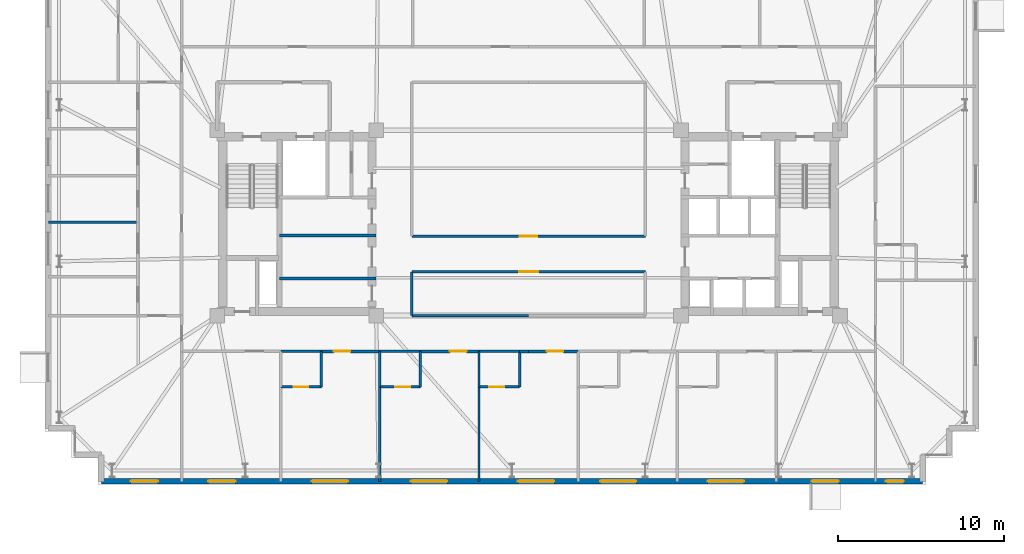
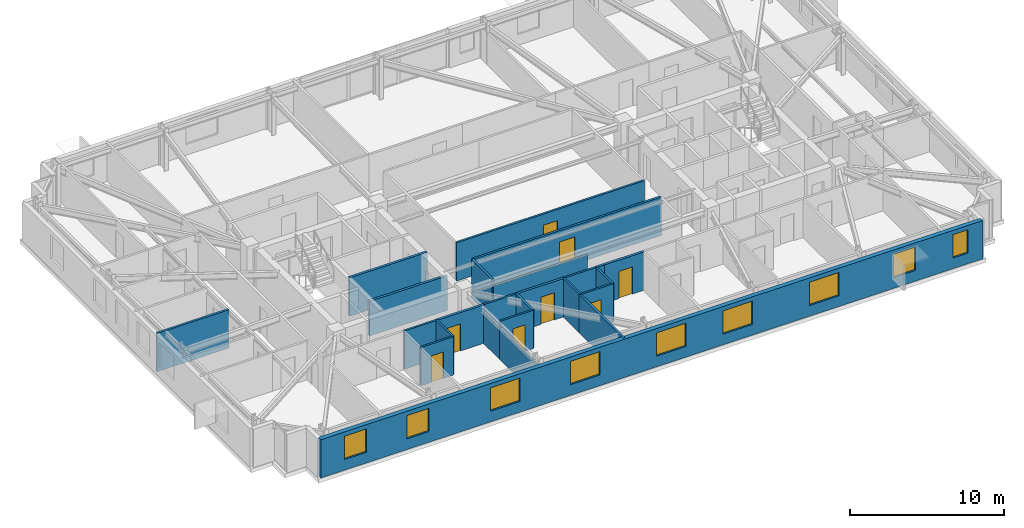
# One storey, part 12 of 18: 25 walls, 9 windows, 8 doors, 17 openings.
"""IFC4 building model written with IfcOpenShell, lengths in metres."""

from ifc_helpers import new_model, si_unit, direction, frame, frame_2d, origin, place, context, subcontext, project, spatial, rectangle, extrude, material, layer, layer_set, type_object, element, fill, save


model = new_model("IFC4")

# Units and contexts
model_context = context("Model", 3, precision=1e-05, world=origin(), true_north=direction((0.0, 1.0)))
body_context = subcontext(model_context, "Body", "Model", "MODEL_VIEW")
ifc_project = project(units=[si_unit("LENGTHUNIT", "METRE"), si_unit("AREAUNIT", "SQUARE_METRE"), si_unit("VOLUMEUNIT", "CUBIC_METRE"), si_unit("PLANEANGLEUNIT", "RADIAN"), si_unit("MASSUNIT", "GRAM", prefix="KILO")], contexts=[model_context])

# Site, building, storey
site_placement = place(None, origin())
site = spatial("IfcSite", under=ifc_project, at=site_placement, CompositionType="ELEMENT")
building_placement = place(site_placement, origin())
building = spatial("IfcBuilding", under=site, at=building_placement, Name="Qobustan Lattice House", CompositionType="ELEMENT")
storey_placement = place(building_placement, frame((0.0, 0.0, 154.449951171875)))
storey = spatial("IfcBuildingStorey", under=building, at=storey_placement, Name="L43", CompositionType="ELEMENT", Elevation=154.449951171875)

# Wall, openings, windows
ifc_material_1 = material(Name="Precast concrete C40/50", Category="concrete")
ifc_layer_1 = layer(ifc_material_1, 0.320068359375)
ifc_layer_set_1 = layer_set([ifc_layer_1], Name="Precast concrete C40/50")
wall_type_1 = type_object("IfcWallType", Name="WAL-EXT-STONE-320", PredefinedType="SOLIDWALL", material=ifc_layer_set_1)
wall_1_placement = place(storey_placement, frame((23.800048828125, -15.60009765625, 0.0), z_axis=(0.0, 0.0, 1.0), x_axis=(-1.0, 0.0, 0.0)))
wall_1 = element("IfcWall", 1, at=wall_1_placement, inside=storey, type_object=wall_type_1, Name="L43 exterior limestone-clad wall 20", PredefinedType="SOLIDWALL", context=body_context, shape_type="SweptSolid", body=[
    extrude(rectangle(XDim=49.60009765625, YDim=0.320068359375, at=frame_2d((24.800048828125, 0.0))), origin(), (0.0, 0.0, 1.0), 3.0400390625),
])
opening_1_placement = place(wall_1_placement, frame((1.1298828125, 0.0, 0.85009765625)))
opening_1 = element("IfcOpeningElement", 2, at=opening_1_placement, cuts=wall_1, Name="Opening WN-04", PredefinedType="OPENING", context=body_context, shape_type="SweptSolid", body=[
    extrude(rectangle(XDim=1.10009765625, YDim=1.85009765625, at=frame_2d((0.550048828125, 0.925048828125))), frame((0.0, 0.169921875, 0.0), z_axis=(0.0, -1.0, 0.0), x_axis=(1.0, 0.0, 0.0)), (0.0, 0.0, 1.0), 0.340087890625),
])
opening_2_placement = place(wall_1_placement, frame((5.054931640625, 0.0, 0.85009765625)))
opening_2 = element("IfcOpeningElement", 3, at=opening_2_placement, cuts=wall_1, Name="Opening WN-09", PredefinedType="OPENING", context=body_context, shape_type="SweptSolid", body=[
    extrude(rectangle(XDim=1.64990234375, YDim=1.85009765625, at=frame_2d((0.824951171875, 0.925048828125))), frame((0.0, 0.169921875, 0.0), z_axis=(0.0, -1.0, 0.0), x_axis=(1.0, 0.0, 0.0)), (0.0, 0.0, 1.0), 0.340087890625),
])
opening_3_placement = place(wall_1_placement, frame((10.780029296875, 0.0, 0.85009765625)))
opening_3 = element("IfcOpeningElement", 4, at=opening_3_placement, cuts=wall_1, Name="Opening WN-03", PredefinedType="OPENING", context=body_context, shape_type="SweptSolid", body=[
    extrude(rectangle(XDim=2.199951171875, YDim=1.85009765625, at=frame_2d((1.10009765625, 0.925048828125))), frame((0.0, 0.169921875, 0.0), z_axis=(0.0, -1.0, 0.0), x_axis=(1.0, 0.0, 0.0)), (0.0, 0.0, 1.0), 0.340087890625),
])
opening_4_placement = place(wall_1_placement, frame((17.283935546875, 0.0, 0.85009765625)))
opening_4 = element("IfcOpeningElement", 5, at=opening_4_placement, cuts=wall_1, Name="Opening WN-03", PredefinedType="OPENING", context=body_context, shape_type="SweptSolid", body=[
    extrude(rectangle(XDim=2.199951171875, YDim=1.85009765625, at=frame_2d((1.10009765625, 0.925048828125))), frame((0.0, 0.169921875, 0.0), z_axis=(0.0, -1.0, 0.0), x_axis=(1.0, 0.0, 0.0)), (0.0, 0.0, 1.0), 0.340087890625),
])
opening_5_placement = place(wall_1_placement, frame((22.248046875, 0.0, 0.85009765625)))
opening_5 = element("IfcOpeningElement", 6, at=opening_5_placement, cuts=wall_1, Name="Opening WN-03", PredefinedType="OPENING", context=body_context, shape_type="SweptSolid", body=[
    extrude(rectangle(XDim=2.199951171875, YDim=1.85009765625, at=frame_2d((1.10009765625, 0.925048828125))), frame((0.0, 0.169921875, 0.0), z_axis=(0.0, -1.0, 0.0), x_axis=(1.0, 0.0, 0.0)), (0.0, 0.0, 1.0), 0.340087890625),
])
opening_6_placement = place(wall_1_placement, frame((28.699951171875, 0.0, 0.85009765625)))
opening_6 = element("IfcOpeningElement", 7, at=opening_6_placement, cuts=wall_1, Name="Opening WN-03", PredefinedType="OPENING", context=body_context, shape_type="SweptSolid", body=[
    extrude(rectangle(XDim=2.199951171875, YDim=1.85009765625, at=frame_2d((1.10009765625, 0.925048828125))), frame((0.0, 0.169921875, 0.0), z_axis=(0.0, -1.0, 0.0), x_axis=(1.0, 0.0, 0.0)), (0.0, 0.0, 1.0), 0.340087890625),
])
opening_7_placement = place(wall_1_placement, frame((34.699951171875, 0.0, 0.85009765625)))
opening_7 = element("IfcOpeningElement", 8, at=opening_7_placement, cuts=wall_1, Name="Opening WN-03", PredefinedType="OPENING", context=body_context, shape_type="SweptSolid", body=[
    extrude(rectangle(XDim=2.199951171875, YDim=1.85009765625, at=frame_2d((1.10009765625, 0.925048828125))), frame((0.0, 0.169921875, 0.0), z_axis=(0.0, -1.0, 0.0), x_axis=(1.0, 0.0, 0.0)), (0.0, 0.0, 1.0), 0.340087890625),
])
opening_8_placement = place(wall_1_placement, frame((41.492431640625, 0.0, 0.85009765625)))
opening_8 = element("IfcOpeningElement", 9, at=opening_8_placement, cuts=wall_1, Name="Opening WN-09", PredefinedType="OPENING", context=body_context, shape_type="SweptSolid", body=[
    extrude(rectangle(XDim=1.64990234375, YDim=1.85009765625, at=frame_2d((0.824951171875, 0.925048828125))), frame((0.0, 0.169921875, 0.0), z_axis=(0.0, -1.0, 0.0), x_axis=(1.0, 0.0, 0.0)), (0.0, 0.0, 1.0), 0.340087890625),
])
opening_9_placement = place(wall_1_placement, frame((46.175048828125, 0.0, 0.85009765625)))
opening_9 = element("IfcOpeningElement", 10, at=opening_9_placement, cuts=wall_1, Name="Opening WN-09", PredefinedType="OPENING", context=body_context, shape_type="SweptSolid", body=[
    extrude(rectangle(XDim=1.64990234375, YDim=1.85009765625, at=frame_2d((0.824951171875, 0.925048828125))), frame((0.0, 0.169921875, 0.0), z_axis=(0.0, -1.0, 0.0), x_axis=(1.0, 0.0, 0.0)), (0.0, 0.0, 1.0), 0.340087890625),
])
ifc_material_2 = material(Name="Double-glazed low-E aluminium window", Category="aluminium")
window_type_1 = type_object("IfcWindowType", Name="WIN-NAR-1100x1850", PartitioningType="SINGLE_PANEL", PredefinedType="WINDOW", material=ifc_material_2)
window_1_placement = place(opening_1_placement, origin())
window_1 = element("IfcWindow", 11, at=window_1_placement, inside=storey, type_object=window_type_1, Name="L43 Focus study room E1 window", OverallHeight=1.85009765625, OverallWidth=1.10009765625, PartitioningType="SINGLE_PANEL", PredefinedType="WINDOW", context=body_context, shape_type="SweptSolid", body=[
    extrude(rectangle(XDim=1.10009765625, YDim=1.85009765625, at=frame_2d((0.550048828125, 0.925048828125))), frame((0.0, 0.030029296875, 0.0), z_axis=(0.0, -1.0, 0.0), x_axis=(1.0, 0.0, 0.0)), (0.0, 0.0, 1.0), 0.06005859375),
])
fill(opening_1, window_1)
ifc_material_3 = material(Name="Double-glazed low-E aluminium window", Category="aluminium")
window_type_2 = type_object("IfcWindowType", Name="WIN-STU-1650x1850", PartitioningType="SINGLE_PANEL", PredefinedType="WINDOW", material=ifc_material_3)
window_2_placement = place(opening_2_placement, origin())
window_2 = element("IfcWindow", 12, at=window_2_placement, inside=storey, type_object=window_type_2, Name="L43 Group study room window", OverallHeight=1.85009765625, OverallWidth=1.64990234375, PartitioningType="SINGLE_PANEL", PredefinedType="WINDOW", context=body_context, shape_type="SweptSolid", body=[
    extrude(rectangle(XDim=1.64990234375, YDim=1.85009765625, at=frame_2d((0.824951171875, 0.925048828125))), frame((0.0, 0.030029296875, 0.0), z_axis=(0.0, -1.0, 0.0), x_axis=(1.0, 0.0, 0.0)), (0.0, 0.0, 1.0), 0.06005859375),
])
fill(opening_2, window_2)
window_3_placement = place(opening_8_placement, origin())
window_3 = element("IfcWindow", 13, at=window_3_placement, inside=storey, type_object=window_type_2, Name="L43 Focus study room S1 window", OverallHeight=1.85009765625, OverallWidth=1.64990234375, PartitioningType="SINGLE_PANEL", PredefinedType="WINDOW", context=body_context, shape_type="SweptSolid", body=[
    extrude(rectangle(XDim=1.64990234375, YDim=1.85009765625, at=frame_2d((0.824951171875, 0.925048828125))), frame((0.0, 0.030029296875, 0.0), z_axis=(0.0, -1.0, 0.0), x_axis=(1.0, 0.0, 0.0)), (0.0, 0.0, 1.0), 0.06005859375),
])
fill(opening_8, window_3)
window_4_placement = place(opening_9_placement, origin())
window_4 = element("IfcWindow", 14, at=window_4_placement, inside=storey, type_object=window_type_2, Name="L43 Reading study room L43WS window", OverallHeight=1.85009765625, OverallWidth=1.64990234375, PartitioningType="SINGLE_PANEL", PredefinedType="WINDOW", context=body_context, shape_type="SweptSolid", body=[
    extrude(rectangle(XDim=1.64990234375, YDim=1.85009765625, at=frame_2d((0.824951171875, 0.925048828125))), frame((0.0, 0.030029296875, 0.0), z_axis=(0.0, -1.0, 0.0), x_axis=(1.0, 0.0, 0.0)), (0.0, 0.0, 1.0), 0.06005859375),
])
fill(opening_9, window_4)
ifc_material_4 = material(Name="Double-glazed low-E aluminium window", Category="aluminium")
window_type_3 = type_object("IfcWindowType", Name="WIN-WIDE-2200x1850", PartitioningType="SINGLE_PANEL", PredefinedType="WINDOW", material=ifc_material_4)
window_5_placement = place(opening_3_placement, origin())
window_5 = element("IfcWindow", 15, at=window_5_placement, inside=storey, type_object=window_type_3, Name="L43 Kitchenette and studio apartment L43-S6 window", OverallHeight=1.85009765625, OverallWidth=2.199951171875, PartitioningType="SINGLE_PANEL", PredefinedType="WINDOW", context=body_context, shape_type="SweptSolid", body=[
    extrude(rectangle(XDim=2.199951171875, YDim=1.85009765625, at=frame_2d((1.10009765625, 0.925048828125))), frame((0.0, 0.030029296875, 0.0), z_axis=(0.0, -1.0, 0.0), x_axis=(1.0, 0.0, 0.0)), (0.0, 0.0, 1.0), 0.06005859375),
])
fill(opening_3, window_5)
window_6_placement = place(opening_4_placement, origin())
window_6 = element("IfcWindow", 16, at=window_6_placement, inside=storey, type_object=window_type_3, Name="L43 Kitchenette and studio apartment L43-S5 window", OverallHeight=1.85009765625, OverallWidth=2.199951171875, PartitioningType="SINGLE_PANEL", PredefinedType="WINDOW", context=body_context, shape_type="SweptSolid", body=[
    extrude(rectangle(XDim=2.199951171875, YDim=1.85009765625, at=frame_2d((1.10009765625, 0.925048828125))), frame((0.0, 0.030029296875, 0.0), z_axis=(0.0, -1.0, 0.0), x_axis=(1.0, 0.0, 0.0)), (0.0, 0.0, 1.0), 0.06005859375),
])
fill(opening_4, window_6)
window_7_placement = place(opening_5_placement, origin())
window_7 = element("IfcWindow", 17, at=window_7_placement, inside=storey, type_object=window_type_3, Name="L43 Kitchenette and studio apartment L43-S4 window", OverallHeight=1.85009765625, OverallWidth=2.199951171875, PartitioningType="SINGLE_PANEL", PredefinedType="WINDOW", context=body_context, shape_type="SweptSolid", body=[
    extrude(rectangle(XDim=2.199951171875, YDim=1.85009765625, at=frame_2d((1.10009765625, 0.925048828125))), frame((0.0, 0.030029296875, 0.0), z_axis=(0.0, -1.0, 0.0), x_axis=(1.0, 0.0, 0.0)), (0.0, 0.0, 1.0), 0.06005859375),
])
fill(opening_5, window_7)
window_8_placement = place(opening_6_placement, origin())
window_8 = element("IfcWindow", 18, at=window_8_placement, inside=storey, type_object=window_type_3, Name="L43 Kitchenette and studio apartment L43-S3 window", OverallHeight=1.85009765625, OverallWidth=2.199951171875, PartitioningType="SINGLE_PANEL", PredefinedType="WINDOW", context=body_context, shape_type="SweptSolid", body=[
    extrude(rectangle(XDim=2.199951171875, YDim=1.85009765625, at=frame_2d((1.10009765625, 0.925048828125))), frame((0.0, 0.030029296875, 0.0), z_axis=(0.0, -1.0, 0.0), x_axis=(1.0, 0.0, 0.0)), (0.0, 0.0, 1.0), 0.06005859375),
])
fill(opening_6, window_8)
window_9_placement = place(opening_7_placement, origin())
window_9 = element("IfcWindow", 19, at=window_9_placement, inside=storey, type_object=window_type_3, Name="L43 Kitchenette and studio apartment L43-S2 window", OverallHeight=1.85009765625, OverallWidth=2.199951171875, PartitioningType="SINGLE_PANEL", PredefinedType="WINDOW", context=body_context, shape_type="SweptSolid", body=[
    extrude(rectangle(XDim=2.199951171875, YDim=1.85009765625, at=frame_2d((1.10009765625, 0.925048828125))), frame((0.0, 0.030029296875, 0.0), z_axis=(0.0, -1.0, 0.0), x_axis=(1.0, 0.0, 0.0)), (0.0, 0.0, 1.0), 0.06005859375),
])
fill(opening_7, window_9)

# Walls
ifc_material_5 = material(Name="Gypsum fireboard acoustic partition", Category="gypsum")
ifc_layer_2 = layer(ifc_material_5, 0.179931640625)
ifc_layer_set_2 = layer_set([ifc_layer_2], Name="Gypsum fireboard acoustic partition")
wall_type_2 = type_object("IfcWallType", Name="WAL-FIRE-180", PredefinedType="PARTITIONING", material=ifc_layer_set_2)
wall_2_placement = place(storey_placement, frame((-15.050048828125, -3.35009765625, 0.0), z_axis=(0.0, 0.0, 1.0), x_axis=(1.0, 0.0, 0.0)))
element("IfcWall", 20, at=wall_2_placement, inside=storey, type_object=wall_type_2, Name="L43 interior partition 10", PredefinedType="PARTITIONING", context=body_context, shape_type="SweptSolid", body=[
    extrude(rectangle(XDim=5.85009765625, YDim=0.179931640625, at=frame_2d((2.925048828125, 0.0))), origin(), (0.0, 0.0, 1.0), 2.755126953125),
])
wall_3_placement = place(storey_placement, frame((-9.199951171875, -0.75, 0.0), z_axis=(0.0, 0.0, 1.0), x_axis=(-1.0, 0.0, 0.0)))
element("IfcWall", 21, at=wall_3_placement, inside=storey, type_object=wall_type_2, Name="L43 interior partition 11", PredefinedType="PARTITIONING", context=body_context, shape_type="SweptSolid", body=[
    extrude(rectangle(XDim=5.85009765625, YDim=0.179931640625, at=frame_2d((2.925048828125, 0.0))), origin(), (0.0, 0.0, 1.0), 3.0400390625),
])

# Wall, opening, door
wall_4_placement = place(storey_placement, frame((-8.97900390625, -7.75, 0.0), z_axis=(0.0, 0.0, 1.0), x_axis=(-1.0, 0.0, 0.0)))
wall_4 = element("IfcWall", 22, at=wall_4_placement, inside=storey, type_object=wall_type_2, Name="L43 interior partition 45", PredefinedType="PARTITIONING", context=body_context, shape_type="SweptSolid", body=[
    extrude(rectangle(XDim=3.534912109375, YDim=0.179931640625, at=frame_2d((1.767578125, 0.0))), origin(), (0.0, 0.0, 1.0), 3.0400390625),
])
opening_10_placement = place(wall_4_placement, frame((1.783203125, 0.0, 0.0)))
opening_10 = element("IfcOpeningElement", 23, at=opening_10_placement, cuts=wall_4, Name="Opening FD-02", PredefinedType="OPENING", context=body_context, shape_type="SweptSolid", body=[
    extrude(rectangle(XDim=1.0, YDim=2.14990234375, at=frame_2d((0.5, 1.074951171875))), frame((0.0, 0.099853515625, 0.0), z_axis=(0.0, -1.0, 0.0), x_axis=(1.0, 0.0, 0.0)), (0.0, 0.0, 1.0), 0.199951171875),
])
ifc_material_6 = material(Name="Persian walnut timber and steel frame door", Category="steel")
door_type_1 = type_object("IfcDoorType", Name="DOR-UNIT-FD-1000x2150", OperationType="NOTDEFINED", PredefinedType="DOOR", material=ifc_material_6)
door_1_placement = place(opening_10_placement, origin())
door_1 = element("IfcDoor", 24, at=door_1_placement, inside=storey, type_object=door_type_1, Name="L43 South-west floor corridor to Kitchenette and studio apartment L43-S2 door", OperationType="SINGLE_SWING_RIGHT", OverallHeight=2.14990234375, OverallWidth=1.0, PredefinedType="DOOR", context=body_context, shape_type="SweptSolid", body=[
    extrude(rectangle(XDim=1.0, YDim=2.14990234375, at=frame_2d((0.5, 1.074951171875))), frame((0.0, 0.02490234375, 0.0), z_axis=(0.0, -1.0, 0.0), x_axis=(1.0, 0.0, 0.0)), (0.0, 0.0, 1.0), 0.050048828125),
])
fill(opening_10, door_1)

wall_5_placement = place(storey_placement, frame((-2.992919921875, -7.75, 0.0), z_axis=(0.0, 0.0, 1.0), x_axis=(-1.0, 0.0, 0.0)))
wall_5 = element("IfcWall", 25, at=wall_5_placement, inside=storey, type_object=wall_type_2, Name="L43 interior partition 47", PredefinedType="PARTITIONING", context=body_context, shape_type="SweptSolid", body=[
    extrude(rectangle(XDim=3.5361328125, YDim=0.179931640625, at=frame_2d((1.76806640625, 0.0))), origin(), (0.0, 0.0, 1.0), 3.0400390625),
])
opening_11_placement = place(wall_5_placement, frame((0.751953125, 0.0, 0.0)))
opening_11 = element("IfcOpeningElement", 26, at=opening_11_placement, cuts=wall_5, Name="Opening FD-02", PredefinedType="OPENING", context=body_context, shape_type="SweptSolid", body=[
    extrude(rectangle(XDim=1.0, YDim=2.14990234375, at=frame_2d((0.5, 1.074951171875))), frame((0.0, 0.099853515625, 0.0), z_axis=(0.0, -1.0, 0.0), x_axis=(1.0, 0.0, 0.0)), (0.0, 0.0, 1.0), 0.199951171875),
])
door_2_placement = place(opening_11_placement, origin())
door_2 = element("IfcDoor", 27, at=door_2_placement, inside=storey, type_object=door_type_1, Name="L43 South-west floor corridor to Kitchenette and studio apartment L43-S3 door", OperationType="SINGLE_SWING_LEFT", OverallHeight=2.14990234375, OverallWidth=1.0, PredefinedType="DOOR", context=body_context, shape_type="SweptSolid", body=[
    extrude(rectangle(XDim=1.0, YDim=2.14990234375, at=frame_2d((0.5, 1.074951171875))), frame((0.0, 0.02490234375, 0.0), z_axis=(0.0, -1.0, 0.0), x_axis=(1.0, 0.0, 0.0)), (0.0, 0.0, 1.0), 0.050048828125),
])
fill(opening_11, door_2)

# Wall
wall_6_placement = place(storey_placement, frame((0.0, -7.75, 0.0), z_axis=(0.0, 0.0, 1.0), x_axis=(-1.0, 0.0, 0.0)))
element("IfcWall", 28, at=wall_6_placement, inside=storey, type_object=wall_type_2, Name="L43 interior partition 49", PredefinedType="PARTITIONING", context=body_context, shape_type="SweptSolid", body=[
    extrude(rectangle(XDim=0.54296875, YDim=0.179931640625, at=frame_2d((0.271484375, 0.0))), origin(), (0.0, 0.0, 1.0), 3.0400390625),
])

# Wall, opening, door
wall_7_placement = place(storey_placement, frame((2.992919921875, -7.75, 0.0), z_axis=(0.0, 0.0, 1.0), x_axis=(-1.0, 0.0, 0.0)))
wall_7 = element("IfcWall", 29, at=wall_7_placement, inside=storey, type_object=wall_type_2, Name="L43 interior partition 53", PredefinedType="PARTITIONING", context=body_context, shape_type="SweptSolid", body=[
    extrude(rectangle(XDim=2.992919921875, YDim=0.179931640625, at=frame_2d((1.49658203125, 0.0))), origin(), (0.0, 0.0, 1.0), 3.0400390625),
])
opening_12_placement = place(wall_7_placement, frame((0.892333984375, 0.0, 0.0)))
opening_12 = element("IfcOpeningElement", 30, at=opening_12_placement, cuts=wall_7, Name="Opening FD-02", PredefinedType="OPENING", context=body_context, shape_type="SweptSolid", body=[
    extrude(rectangle(XDim=1.0, YDim=2.14990234375, at=frame_2d((0.5, 1.074951171875))), frame((0.0, 0.099853515625, 0.0), z_axis=(0.0, -1.0, 0.0), x_axis=(1.0, 0.0, 0.0)), (0.0, 0.0, 1.0), 0.199951171875),
])
door_3_placement = place(opening_12_placement, origin())
door_3 = element("IfcDoor", 31, at=door_3_placement, inside=storey, type_object=door_type_1, Name="L43 South-east floor corridor to Kitchenette and studio apartment L43-S4 door", OperationType="SINGLE_SWING_LEFT", OverallHeight=2.14990234375, OverallWidth=1.0, PredefinedType="DOOR", context=body_context, shape_type="SweptSolid", body=[
    extrude(rectangle(XDim=1.0, YDim=2.14990234375, at=frame_2d((0.5, 1.074951171875))), frame((0.0, 0.02490234375, 0.0), z_axis=(0.0, -1.0, 0.0), x_axis=(1.0, 0.0, 0.0)), (0.0, 0.0, 1.0), 0.050048828125),
])
fill(opening_12, door_3)

ifc_material_7 = material(Name="Acoustic twin-stud gypsum partition", Category="gypsum")
ifc_layer_3 = layer(ifc_material_7, 0.14990234375)
ifc_layer_set_3 = layer_set([ifc_layer_3], Name="Acoustic twin-stud gypsum partition")
wall_type_3 = type_object("IfcWallType", Name="WAL-PART-150", PredefinedType="PARTITIONING", material=ifc_layer_set_3)
wall_8_placement = place(storey_placement, frame((-7.050048828125, -0.800048828125, 0.0), z_axis=(0.0, 0.0, 1.0), x_axis=(1.0, 0.0, 0.0)))
wall_8 = element("IfcWall", 32, at=wall_8_placement, inside=storey, type_object=wall_type_3, Name="L43 interior partition 64", PredefinedType="PARTITIONING", context=body_context, shape_type="SweptSolid", body=[
    extrude(rectangle(XDim=14.10009765625, YDim=0.14990234375, at=frame_2d((7.050048828125, 0.0))), origin(), (0.0, 0.0, 1.0), 3.0400390625),
])
opening_13_placement = place(wall_8_placement, frame((6.52490234375, 0.0, 0.0)))
opening_13 = element("IfcOpeningElement", 33, at=opening_13_placement, cuts=wall_8, Name="Opening ID-02", PredefinedType="OPENING", context=body_context, shape_type="SweptSolid", body=[
    extrude(rectangle(XDim=1.050048828125, YDim=2.14990234375, at=frame_2d((0.52490234375, 1.074951171875))), frame((0.0, 0.0849609375, 0.0), z_axis=(0.0, -1.0, 0.0), x_axis=(1.0, 0.0, 0.0)), (0.0, 0.0, 1.0), 0.169921875),
])
ifc_material_8 = material(Name="Persian walnut timber and steel frame door", Category="steel")
door_type_2 = type_object("IfcDoorType", Name="DOR-STUDY-1050x2150", OperationType="NOTDEFINED", PredefinedType="DOOR", material=ifc_material_8)
door_4_placement = place(opening_13_placement, origin())
door_4 = element("IfcDoor", 34, at=door_4_placement, inside=storey, type_object=door_type_2, Name="L43 Central spine corridor to Central study commons door", OperationType="SINGLE_SWING_LEFT", OverallHeight=2.14990234375, OverallWidth=1.050048828125, PredefinedType="DOOR", context=body_context, shape_type="SweptSolid", body=[
    extrude(rectangle(XDim=1.050048828125, YDim=2.14990234375, at=frame_2d((0.52490234375, 1.074951171875))), frame((0.0, 0.02490234375, 0.0), z_axis=(0.0, -1.0, 0.0), x_axis=(1.0, 0.0, 0.0)), (0.0, 0.0, 1.0), 0.050048828125),
])
fill(opening_13, door_4)

# Walls
wall_9_placement = place(storey_placement, frame((-8.97900390625, -9.89990234375, 0.0), z_axis=(0.0, 0.0, 1.0), x_axis=(0.0, -1.0, 0.0)))
element("IfcWall", 35, at=wall_9_placement, inside=storey, type_object=wall_type_3, Name="L43 interior partition 101", PredefinedType="PARTITIONING", context=body_context, shape_type="SweptSolid", body=[
    extrude(rectangle(XDim=5.7001953125, YDim=0.14990234375, at=frame_2d((2.85009765625, 0.0))), origin(), (0.0, 0.0, 1.0), 2.525146484375),
])
wall_10_placement = place(storey_placement, frame((-2.992919921875, -9.89990234375, 0.0), z_axis=(0.0, 0.0, 1.0), x_axis=(0.0, -1.0, 0.0)))
element("IfcWall", 36, at=wall_10_placement, inside=storey, type_object=wall_type_3, Name="L43 interior partition 105", PredefinedType="PARTITIONING", context=body_context, shape_type="SweptSolid", body=[
    extrude(rectangle(XDim=5.7001953125, YDim=0.14990234375, at=frame_2d((2.85009765625, 0.0))), origin(), (0.0, 0.0, 1.0), 3.0400390625),
])
ifc_material_9 = material(Name="High-mass acoustic twin-stud partition", Category="gypsum")
ifc_layer_4 = layer(ifc_material_9, 0.1650390625)
ifc_layer_set_4 = layer_set([ifc_layer_4], Name="High-mass acoustic twin-stud partition")
wall_type_4 = type_object("IfcWallType", Name="WAL-PART-165", PredefinedType="PARTITIONING", material=ifc_layer_set_4)
wall_11_placement = place(storey_placement, frame((-7.050048828125, -5.60009765625, 0.0), z_axis=(0.0, 0.0, 1.0), x_axis=(1.0, 0.0, 0.0)))
element("IfcWall", 37, at=wall_11_placement, inside=storey, type_object=wall_type_4, Name="L43 interior partition 51", PredefinedType="PARTITIONING", context=body_context, shape_type="SweptSolid", body=[
    extrude(rectangle(XDim=7.050048828125, YDim=0.1650390625, at=frame_2d((3.52490234375, 0.0))), origin(), (0.0, 0.0, 1.0), 2.525146484375),
])

# Wall, opening, door
wall_12_placement = place(storey_placement, frame((7.050048828125, -2.949951171875, 0.0), z_axis=(0.0, 0.0, 1.0), x_axis=(-1.0, 0.0, 0.0)))
wall_12 = element("IfcWall", 38, at=wall_12_placement, inside=storey, type_object=wall_type_4, Name="L43 interior partition 65", PredefinedType="PARTITIONING", context=body_context, shape_type="SweptSolid", body=[
    extrude(rectangle(XDim=14.10009765625, YDim=0.1650390625, at=frame_2d((7.050048828125, 0.0))), origin(), (0.0, 0.0, 1.0), 3.0400390625),
])
opening_14_placement = place(wall_12_placement, frame((6.47509765625, 0.0, 0.0)))
opening_14 = element("IfcOpeningElement", 39, at=opening_14_placement, cuts=wall_12, Name="Opening ID-03", PredefinedType="OPENING", context=body_context, shape_type="SweptSolid", body=[
    extrude(rectangle(XDim=1.14990234375, YDim=2.14990234375, at=frame_2d((0.574951171875, 1.074951171875))), frame((0.0, 0.092529296875, 0.0), z_axis=(0.0, -1.0, 0.0), x_axis=(1.0, 0.0, 0.0)), (0.0, 0.0, 1.0), 0.18505859375),
])
ifc_material_10 = material(Name="Persian walnut timber and steel frame door", Category="steel")
door_type_3 = type_object("IfcDoorType", Name="DOR-KITCH-1150x2150", OperationType="NOTDEFINED", PredefinedType="DOOR", material=ifc_material_10)
door_5_placement = place(opening_14_placement, origin())
door_5 = element("IfcDoor", 40, at=door_5_placement, inside=storey, type_object=door_type_3, Name="L43 Central spine corridor to Shared kitchen and tea room door", OperationType="SINGLE_SWING_RIGHT", OverallHeight=2.14990234375, OverallWidth=1.14990234375, PredefinedType="DOOR", context=body_context, shape_type="SweptSolid", body=[
    extrude(rectangle(XDim=1.14990234375, YDim=2.14990234375, at=frame_2d((0.574951171875, 1.074951171875))), frame((0.0, 0.02490234375, 0.0), z_axis=(0.0, -1.0, 0.0), x_axis=(1.0, 0.0, 0.0)), (0.0, 0.0, 1.0), 0.050048828125),
])
fill(opening_14, door_5)

# Walls
wall_13_placement = place(storey_placement, frame((-7.050048828125, -2.949951171875, 0.0), z_axis=(0.0, 0.0, 1.0), x_axis=(0.0, -1.0, 0.0)))
element("IfcWall", 41, at=wall_13_placement, inside=storey, type_object=wall_type_4, Name="L43 interior partition 67", PredefinedType="PARTITIONING", context=body_context, shape_type="SweptSolid", body=[
    extrude(rectangle(XDim=2.650146484375, YDim=0.1650390625, at=frame_2d((1.3251953125, 0.0))), origin(), (0.0, 0.0, 1.0), 3.0400390625),
])
wall_14_placement = place(storey_placement, frame((-29.0, 0.0400390625, 0.0), z_axis=(0.0, 0.0, 1.0), x_axis=(1.0, 0.0, 0.0)))
element("IfcWall", 42, at=wall_14_placement, inside=storey, type_object=wall_type_4, Name="L43 interior partition 84", PredefinedType="PARTITIONING", context=body_context, shape_type="SweptSolid", body=[
    extrude(rectangle(XDim=5.39990234375, YDim=0.1650390625, at=frame_2d((2.699951171875, 0.0))), origin(), (0.0, 0.0, 1.0), 3.0400390625),
])
ifc_material_11 = material(Name="Moisture-resistant acoustic plumbing wall", Category="gypsum")
ifc_layer_5 = layer(ifc_material_11, 0.14990234375)
ifc_layer_set_5 = layer_set([ifc_layer_5], Name="Moisture-resistant acoustic plumbing wall")
wall_type_5 = type_object("IfcWallType", Name="WAL-WET-150", PredefinedType="PLUMBINGWALL", material=ifc_layer_set_5)
wall_15_placement = place(storey_placement, frame((-12.513916015625, -7.75, 0.0), z_axis=(0.0, 0.0, 1.0), x_axis=(-1.0, 0.0, 0.0)))
element("IfcWall", 43, at=wall_15_placement, inside=storey, type_object=wall_type_5, Name="L43 interior partition 46", PredefinedType="PLUMBINGWALL", context=body_context, shape_type="SweptSolid", body=[
    extrude(rectangle(XDim=2.4501953125, YDim=0.14990234375, at=frame_2d((1.22509765625, 0.0))), origin(), (0.0, 0.0, 1.0), 3.0400390625),
])
for number, where, z_axis, x_axis, name in (
    (44, (-6.529052734375, -7.75, 0.0), (0.0, 0.0, 1.0), (-1.0, 0.0, 0.0), "L43 interior partition 48"),
    (45, (-0.54296875, -7.75, 0.0), (0.0, 0.0, 1.0), (-1.0, 0.0, 0.0), "L43 interior partition 50"),
):
    element("IfcWall", number, at=place(storey_placement, frame(where, z_axis=z_axis, x_axis=x_axis)), inside=storey, type_object=wall_type_5, Name=name, PredefinedType="PLUMBINGWALL", context=body_context, shape_type="SweptSolid", body=[
        extrude(rectangle(XDim=2.449951171875, YDim=0.14990234375, at=frame_2d((1.22509765625, 0.0))), origin(), (0.0, 0.0, 1.0), 3.0400390625),
    ])

# Wall, opening, door
wall_16_placement = place(storey_placement, frame((-14.964111328125, -9.89990234375, 0.0), z_axis=(0.0, 0.0, 1.0), x_axis=(1.0, 0.0, 0.0)))
wall_16 = element("IfcWall", 46, at=wall_16_placement, inside=storey, type_object=wall_type_5, Name="L43 interior partition 99", PredefinedType="PLUMBINGWALL", context=body_context, shape_type="SweptSolid", body=[
    extrude(rectangle(XDim=2.4501953125, YDim=0.14990234375, at=frame_2d((1.22509765625, 0.0))), origin(), (0.0, 0.0, 1.0), 3.0400390625),
])
opening_15_placement = place(wall_16_placement, frame((0.77490234375, 0.0, 0.0)))
opening_15 = element("IfcOpeningElement", 47, at=opening_15_placement, cuts=wall_16, Name="Opening WD-01", PredefinedType="OPENING", context=body_context, shape_type="SweptSolid", body=[
    extrude(rectangle(XDim=0.89990234375, YDim=2.10009765625, at=frame_2d((0.449951171875, 1.050048828125))), frame((0.0, 0.0849609375, 0.0), z_axis=(0.0, -1.0, 0.0), x_axis=(1.0, 0.0, 0.0)), (0.0, 0.0, 1.0), 0.169921875),
])
ifc_material_12 = material(Name="Persian walnut timber and steel frame door", Category="steel")
door_type_4 = type_object("IfcDoorType", Name="DOR-WET-900x2100", OperationType="NOTDEFINED", PredefinedType="DOOR", material=ifc_material_12)
door_6_placement = place(opening_15_placement, origin())
door_6 = element("IfcDoor", 48, at=door_6_placement, inside=storey, type_object=door_type_4, Name="L43 Kitchenette and studio apartment L43-S2 to En-suite bathroom L43-S2 door", OperationType="SINGLE_SWING_RIGHT", OverallHeight=2.10009765625, OverallWidth=0.89990234375, PredefinedType="DOOR", context=body_context, shape_type="SweptSolid", body=[
    extrude(rectangle(XDim=0.89990234375, YDim=2.10009765625, at=frame_2d((0.449951171875, 1.050048828125))), frame((0.0, 0.02490234375, 0.0), z_axis=(0.0, -1.0, 0.0), x_axis=(1.0, 0.0, 0.0)), (0.0, 0.0, 1.0), 0.050048828125),
])
fill(opening_15, door_6)

# Walls
wall_17_placement = place(storey_placement, frame((-12.513916015625, -9.89990234375, 0.0), z_axis=(0.0, 0.0, 1.0), x_axis=(0.0, 1.0, 0.0)))
element("IfcWall", 49, at=wall_17_placement, inside=storey, type_object=wall_type_5, Name="L43 interior partition 100", PredefinedType="PLUMBINGWALL", context=body_context, shape_type="SweptSolid", body=[
    extrude(rectangle(XDim=2.14990234375, YDim=0.14990234375, at=frame_2d((1.074951171875, 0.0))), origin(), (0.0, 0.0, 1.0), 3.0400390625),
])
wall_18_placement = place(storey_placement, frame((-8.97900390625, -7.75, 0.0), z_axis=(0.0, 0.0, 1.0), x_axis=(0.0, -1.0, 0.0)))
element("IfcWall", 50, at=wall_18_placement, inside=storey, type_object=wall_type_5, Name="L43 interior partition 102", PredefinedType="PLUMBINGWALL", context=body_context, shape_type="SweptSolid", body=[
    extrude(rectangle(XDim=2.14990234375, YDim=0.14990234375, at=frame_2d((1.074951171875, 0.0))), origin(), (0.0, 0.0, 1.0), 2.525146484375),
])

# Wall, opening, door
wall_19_placement = place(storey_placement, frame((-8.97900390625, -9.89990234375, 0.0), z_axis=(0.0, 0.0, 1.0), x_axis=(1.0, 0.0, 0.0)))
wall_19 = element("IfcWall", 51, at=wall_19_placement, inside=storey, type_object=wall_type_5, Name="L43 interior partition 103", PredefinedType="PLUMBINGWALL", context=body_context, shape_type="SweptSolid", body=[
    extrude(rectangle(XDim=2.449951171875, YDim=0.14990234375, at=frame_2d((1.22509765625, 0.0))), origin(), (0.0, 0.0, 1.0), 3.0400390625),
])
opening_16_placement = place(wall_19_placement, frame((0.921142578125, 0.0, 0.0)))
opening_16 = element("IfcOpeningElement", 52, at=opening_16_placement, cuts=wall_19, Name="Opening WD-01", PredefinedType="OPENING", context=body_context, shape_type="SweptSolid", body=[
    extrude(rectangle(XDim=0.89990234375, YDim=2.10009765625, at=frame_2d((0.449951171875, 1.050048828125))), frame((0.0, 0.0849609375, 0.0), z_axis=(0.0, -1.0, 0.0), x_axis=(1.0, 0.0, 0.0)), (0.0, 0.0, 1.0), 0.169921875),
])
door_7_placement = place(opening_16_placement, origin())
door_7 = element("IfcDoor", 53, at=door_7_placement, inside=storey, type_object=door_type_4, Name="L43 Kitchenette and studio apartment L43-S3 to En-suite bathroom L43-S3 door", OperationType="SINGLE_SWING_LEFT", OverallHeight=2.10009765625, OverallWidth=0.89990234375, PredefinedType="DOOR", context=body_context, shape_type="SweptSolid", body=[
    extrude(rectangle(XDim=0.89990234375, YDim=2.10009765625, at=frame_2d((0.449951171875, 1.050048828125))), frame((0.0, 0.02490234375, 0.0), z_axis=(0.0, -1.0, 0.0), x_axis=(1.0, 0.0, 0.0)), (0.0, 0.0, 1.0), 0.050048828125),
])
fill(opening_16, door_7)

# Walls
for number, where, z_axis, x_axis, name in (
    (54, (-6.529052734375, -9.89990234375, 0.0), (0.0, 0.0, 1.0), (0.0, 1.0, 0.0), "L43 interior partition 104"),
    (55, (-2.992919921875, -7.75, 0.0), (0.0, 0.0, 1.0), (0.0, -1.0, 0.0), "L43 interior partition 106"),
):
    element("IfcWall", number, at=place(storey_placement, frame(where, z_axis=z_axis, x_axis=x_axis)), inside=storey, type_object=wall_type_5, Name=name, PredefinedType="PLUMBINGWALL", context=body_context, shape_type="SweptSolid", body=[
        extrude(rectangle(XDim=2.14990234375, YDim=0.14990234375, at=frame_2d((1.074951171875, 0.0))), origin(), (0.0, 0.0, 1.0), 3.0400390625),
    ])

# Wall, opening, door
wall_20_placement = place(storey_placement, frame((-2.992919921875, -9.89990234375, 0.0), z_axis=(0.0, 0.0, 1.0), x_axis=(1.0, 0.0, 0.0)))
wall_20 = element("IfcWall", 56, at=wall_20_placement, inside=storey, type_object=wall_type_5, Name="L43 interior partition 107", PredefinedType="PLUMBINGWALL", context=body_context, shape_type="SweptSolid", body=[
    extrude(rectangle(XDim=2.449951171875, YDim=0.14990234375, at=frame_2d((1.22509765625, 0.0))), origin(), (0.0, 0.0, 1.0), 3.0400390625),
])
opening_17_placement = place(wall_20_placement, frame((0.628662109375, 0.0, 0.0)))
opening_17 = element("IfcOpeningElement", 57, at=opening_17_placement, cuts=wall_20, Name="Opening WD-01", PredefinedType="OPENING", context=body_context, shape_type="SweptSolid", body=[
    extrude(rectangle(XDim=0.89990234375, YDim=2.10009765625, at=frame_2d((0.449951171875, 1.050048828125))), frame((0.0, 0.0849609375, 0.0), z_axis=(0.0, -1.0, 0.0), x_axis=(1.0, 0.0, 0.0)), (0.0, 0.0, 1.0), 0.169921875),
])
door_8_placement = place(opening_17_placement, origin())
door_8 = element("IfcDoor", 58, at=door_8_placement, inside=storey, type_object=door_type_4, Name="L43 Kitchenette and studio apartment L43-S4 to En-suite bathroom L43-S4 door", OperationType="SINGLE_SWING_RIGHT", OverallHeight=2.10009765625, OverallWidth=0.89990234375, PredefinedType="DOOR", context=body_context, shape_type="SweptSolid", body=[
    extrude(rectangle(XDim=0.89990234375, YDim=2.10009765625, at=frame_2d((0.449951171875, 1.050048828125))), frame((0.0, 0.02490234375, 0.0), z_axis=(0.0, -1.0, 0.0), x_axis=(1.0, 0.0, 0.0)), (0.0, 0.0, 1.0), 0.050048828125),
])
fill(opening_17, door_8)

# Wall
wall_21_placement = place(storey_placement, frame((-0.54296875, -9.89990234375, 0.0), z_axis=(0.0, 0.0, 1.0), x_axis=(0.0, 1.0, 0.0)))
element("IfcWall", 59, at=wall_21_placement, inside=storey, type_object=wall_type_5, Name="L43 interior partition 108", PredefinedType="PLUMBINGWALL", context=body_context, shape_type="SweptSolid", body=[
    extrude(rectangle(XDim=2.14990234375, YDim=0.14990234375, at=frame_2d((1.074951171875, 0.0))), origin(), (0.0, 0.0, 1.0), 3.0400390625),
])

save(model, "model.ifc")
